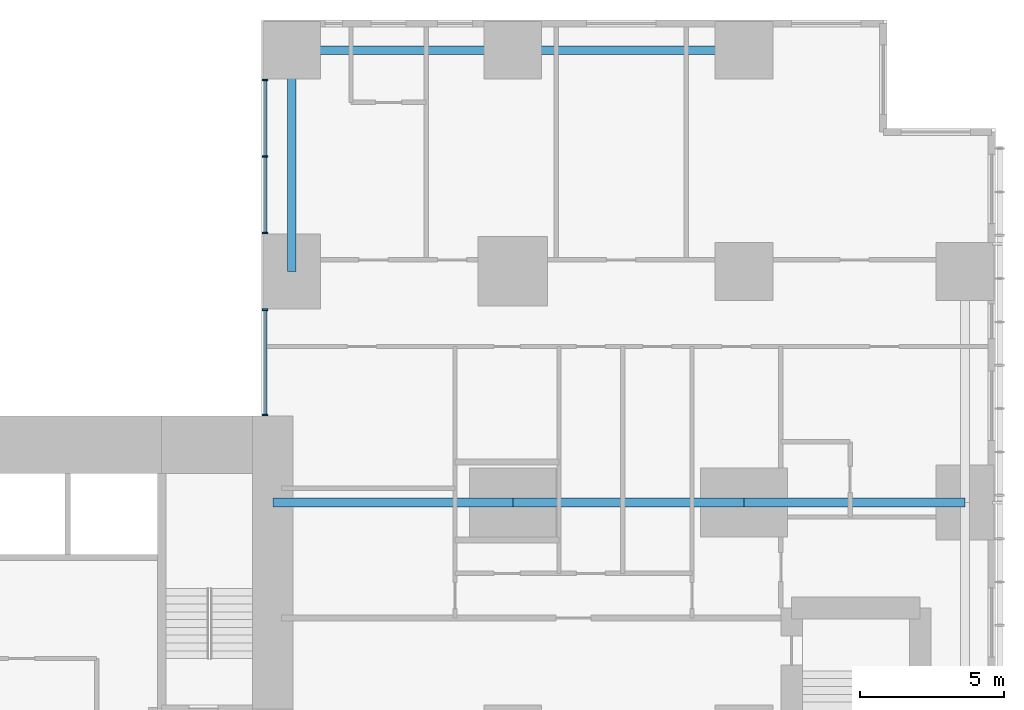
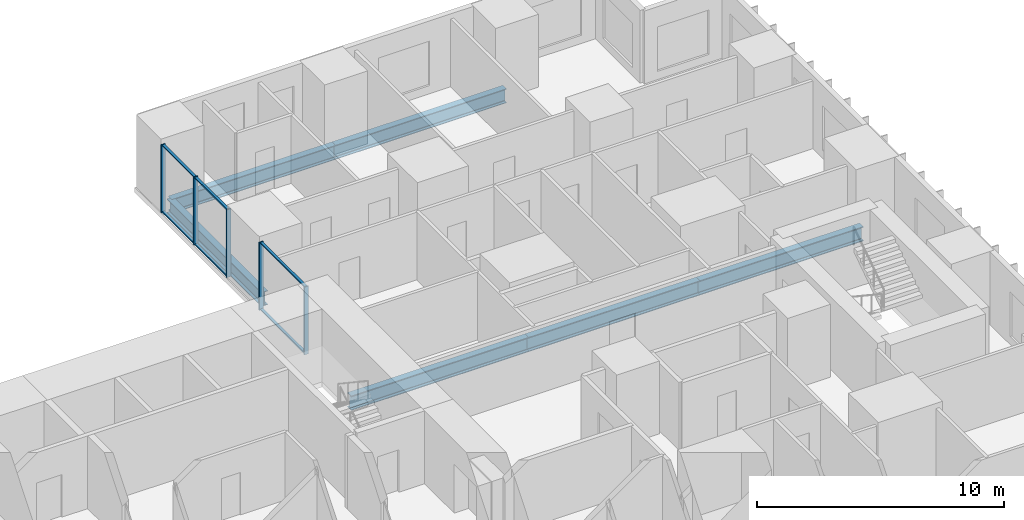
# One storey, part 5 of 21: 11 members, 6 beams, 2 elements without a shape of their own.
"""IFC4 building model written with IfcOpenShell, lengths in metres."""

import ifcopenshell
import ifcopenshell.guid

model = None  # the IFC model being written
_history = None  # IfcOwnerHistory: only IFC2X3 demands one
_inside = {}  # id of a spatial element -> (the spatial element, [elements in it])
_under = {}  # id of a project, library or spatial element -> (it, [spatial elements below it])
_declared = {}  # id of a project -> (the project, [libraries it declares])
_typed = {}  # id of a type object -> (the type object, [elements of that type])
_made_of = {}  # id of a material, layer set ... -> (it, [elements and type objects made of it])


def new_model(schema):
    """Start an empty IFC model of exactly this schema.

    Asked for "IFC4X3", IfcOpenShell would pick the latest addendum, in which some entities
    have other attributes; the version numbers below select the first issue.
    IFC2X3 requires an IfcOwnerHistory on every rooted entity: one is made here for all.
    """
    global model, _history
    if schema == "IFC4X3":
        model = ifcopenshell.file(schema_version=(4, 3, 0, 0))
    else:
        model = ifcopenshell.file(schema=schema)
    _inside.clear()
    _under.clear()
    _declared.clear()
    _typed.clear()
    _made_of.clear()
    _history = None
    if model.schema == "IFC2X3":
        org = make("IfcOrganization", Name="unknown")
        user = make(
            "IfcPersonAndOrganization",
            ThePerson=make("IfcPerson", FamilyName="unknown"),
            TheOrganization=org,
        )
        app = make(
            "IfcApplication",
            ApplicationDeveloper=org,
            Version="unknown",
            ApplicationFullName="unknown",
            ApplicationIdentifier="unknown",
        )
        _history = make(
            "IfcOwnerHistory",
            OwningUser=user,
            OwningApplication=app,
            ChangeAction="ADDED",
            CreationDate=0,
        )
    return model


def make(cls, **values):
    """One entity of the class cls with the attributes given. An attribute that is None is left unset."""
    return model.create_entity(
        cls, **{name: value for name, value in values.items() if value is not None}
    )


def rooted(cls, **values):
    """An entity with a GlobalId (a new one), such as an element, a storey or a relation."""
    return make(cls, GlobalId=ifcopenshell.guid.new(), OwnerHistory=_history, **values)


def si_unit(unit_type, name, prefix=None):
    """IfcSIUnit, for example si_unit("LENGTHUNIT", "METRE", prefix="MILLI")."""
    return make("IfcSIUnit", UnitType=unit_type, Prefix=prefix, Name=name)


def assignment(units):
    """IfcUnitAssignment: the units of a project."""
    return None if units is None else make("IfcUnitAssignment", Units=units)


def point(xyz):
    """IfcCartesianPoint."""
    return None if xyz is None else make("IfcCartesianPoint", Coordinates=xyz)


def direction(xyz):
    """IfcDirection."""
    return None if xyz is None else make("IfcDirection", DirectionRatios=xyz)


def frame(location, z_axis=None, x_axis=None):
    """IfcAxis2Placement3D, a coordinate frame: its origin and axes. An axis left out is left unset."""
    return make(
        "IfcAxis2Placement3D",
        Location=point(location),
        Axis=direction(z_axis),
        RefDirection=direction(x_axis),
    )


def frame_2d(location, x_axis=None):
    """IfcAxis2Placement2D, a coordinate frame in the plane: its origin and x axis."""
    return make(
        "IfcAxis2Placement2D", Location=point(location), RefDirection=direction(x_axis)
    )


def origin():
    """The frame at (0, 0, 0) with its axes left unset."""
    return frame((0.0, 0.0, 0.0))


def origin_2d():
    """The frame at (0, 0) in the plane with its x axis left unset."""
    return frame_2d((0.0, 0.0))


def place(relative_to, where):
    """IfcLocalPlacement: puts the frame where relative to a parent placement (None: the world)."""
    return make(
        "IfcLocalPlacement", PlacementRelTo=relative_to, RelativePlacement=where
    )


def context(
    kind, dimensions, precision=None, world=None, true_north=None, identifier=None
):
    """IfcGeometricRepresentationContext, for example the 3D "Model" context."""
    return make(
        "IfcGeometricRepresentationContext",
        ContextIdentifier=identifier,
        ContextType=kind,
        CoordinateSpaceDimension=dimensions,
        Precision=precision,
        WorldCoordinateSystem=world,
        TrueNorth=true_north,
    )


def subcontext(parent, identifier, kind, view, scale=None):
    """IfcGeometricRepresentationSubContext, for example "Body" below "Model"."""
    return make(
        "IfcGeometricRepresentationSubContext",
        ContextIdentifier=identifier,
        ContextType=kind,
        ParentContext=parent,
        TargetScale=scale,
        TargetView=view,
    )


def project(units=None, contexts=None):
    """IfcProject with its units and contexts."""
    return rooted(
        "IfcProject",
        Name="project",
        RepresentationContexts=contexts,
        UnitsInContext=assignment(units),
    )


def spatial(cls, under=None, at=None, **own):
    """A site, building, storey or space (cls), placed at a placement, below another one or the project."""
    s = rooted(cls, ObjectPlacement=at, **own)
    if under is not None:
        _under.setdefault(under.id(), (under, []))[1].append(s)
    return s


def profile(cls, at=None, kind="AREA", **sizes):
    """A parametric profile (cls). Its sizes go by their IFC names, for example OverallWidth=200.0."""
    return make(cls, ProfileType=kind, Position=at, **sizes)


def rectangle(**sizes):
    """IfcRectangleProfileDef."""
    return profile("IfcRectangleProfileDef", **sizes)


def i_section(**sizes):
    """IfcIShapeProfileDef."""
    return profile("IfcIShapeProfileDef", **sizes)


def extrude(swept, where, along, depth):
    """IfcExtrudedAreaSolid: the profile swept, set in the frame where, extruded along a direction by depth."""
    return make(
        "IfcExtrudedAreaSolid",
        SweptArea=swept,
        Position=where,
        ExtrudedDirection=direction(along),
        Depth=depth,
    )


def shape(context_of_items, identifier, shape_type, items):
    """IfcShapeRepresentation: the items that make up one representation, for example the "Body"."""
    return make(
        "IfcShapeRepresentation",
        ContextOfItems=context_of_items,
        RepresentationIdentifier=identifier,
        RepresentationType=shape_type,
        Items=items,
    )


def material(Name=None, Category=None):
    """IfcMaterial."""
    return make("IfcMaterial", Name=Name, Category=Category)


def layer(
    of_material, thickness, ventilated=None, Name=None, Category=None, Priority=None
):
    """IfcMaterialLayer: one layer of a wall or slab, of a material (None: an air gap)."""
    return make(
        "IfcMaterialLayer",
        Material=of_material,
        LayerThickness=thickness,
        IsVentilated=ventilated,
        Name=Name,
        Category=Category,
        Priority=Priority,
    )


def layer_set(layers, Name=None):
    """IfcMaterialLayerSet."""
    return make("IfcMaterialLayerSet", MaterialLayers=layers, LayerSetName=Name)


def material_profile(
    of_material, cross_section, Name=None, Category=None, Priority=None
):
    """IfcMaterialProfile: a cross section and its material."""
    return make(
        "IfcMaterialProfile",
        Name=Name,
        Material=of_material,
        Profile=cross_section,
        Priority=Priority,
        Category=Category,
    )


def profile_set(profiles, Name=None, composite=None):
    """IfcMaterialProfileSet."""
    return make(
        "IfcMaterialProfileSet",
        Name=Name,
        MaterialProfiles=profiles,
        CompositeProfile=composite,
    )


def made_of(thing, what):
    """Note that an element or type object is made of a material, layer set ...; save() writes the relation."""
    if what is not None:
        _made_of.setdefault(what.id(), (what, []))[1].append(thing)
    return thing


def type_object(cls, material=None, **own):
    """A type object (cls), such as IfcWallType, which elements share."""
    return made_of(rooted(cls, **own), material)


def element(
    cls,
    number,
    at=None,
    inside=None,
    cuts=None,
    type_object=None,
    material=None,
    context=None,
    identifier="Body",
    shape_type=None,
    held_by="IfcProductDefinitionShape",
    body=None,
    shapes=None,
    **own,
):
    """One element of the class cls, such as IfcWall. Its Tag is "e" and its number.

    at: its placement. inside: the storey or other place that contains it. cuts: it is an
    opening in that element (IfcRelVoidsElement). A single representation is given by context,
    identifier, shape_type and body (its items); several are given by shapes. held_by: the class
    of the entity that holds the representations. save() writes the other relations.
    """
    e = rooted(cls, Tag="e%d" % number, ObjectPlacement=at, **own)
    if body is not None:
        shapes = [shape(context, identifier, shape_type, body)]
    if shapes is not None:
        e.Representation = make(held_by, Representations=shapes)
    if inside is not None:
        _inside.setdefault(inside.id(), (inside, []))[1].append(e)
    if cuts is not None:
        rooted(
            "IfcRelVoidsElement", RelatingBuildingElement=cuts, RelatedOpeningElement=e
        )
    if type_object is not None:
        _typed.setdefault(type_object.id(), (type_object, []))[1].append(e)
    return made_of(e, material)


def aggregate(whole, parts):
    """IfcRelAggregates: a whole, such as a stair, and the parts it consists of."""
    return rooted("IfcRelAggregates", RelatingObject=whole, RelatedObjects=parts)


def save(model, path):
    """Write the relations noted so far, then the file.

    IfcRelAggregates (storeys below a building ...), IfcRelContainedInSpatialStructure (elements
    in a storey), IfcRelDefinesByType, IfcRelAssociatesMaterial and IfcRelDeclares: one each for
    every whole, place, type object, material and project.
    """
    for whole, parts in _under.values():
        aggregate(whole, parts)
    for where, things in _inside.values():
        rooted(
            "IfcRelContainedInSpatialStructure",
            RelatedElements=things,
            RelatingStructure=where,
        )
    for kind, things in _typed.values():
        rooted("IfcRelDefinesByType", RelatedObjects=things, RelatingType=kind)
    for what, things in _made_of.values():
        rooted("IfcRelAssociatesMaterial", RelatedObjects=things, RelatingMaterial=what)
    for by, libraries in _declared.values():
        rooted("IfcRelDeclares", RelatingContext=by, RelatedDefinitions=libraries)
    model.write(path)


model = new_model("IFC4")

# Units and contexts
model_context = context("Model", 3, precision=1e-05, world=origin(), true_north=direction((0.0, 1.0)))
body_context = subcontext(model_context, "Body", "Model", "MODEL_VIEW")
ifc_project = project(units=[si_unit("LENGTHUNIT", "METRE"), si_unit("AREAUNIT", "SQUARE_METRE"), si_unit("VOLUMEUNIT", "CUBIC_METRE"), si_unit("PLANEANGLEUNIT", "RADIAN"), si_unit("MASSUNIT", "GRAM", prefix="KILO")], contexts=[model_context])

# Site, building, storey
site_placement = place(None, origin())
site = spatial("IfcSite", under=ifc_project, at=site_placement, CompositionType="ELEMENT")
building_placement = place(site_placement, origin())
building = spatial("IfcBuilding", under=site, at=building_placement, Name="Cleftline Residences", CompositionType="ELEMENT")
storey_placement = place(building_placement, frame((0.0, 0.0, 128.60009765625)))
storey = spatial("IfcBuildingStorey", under=building, at=storey_placement, Name="L33", CompositionType="ELEMENT", Elevation=128.60009765625)

# Beams
ifc_material_1 = material(Name="Steel S355", Category="steel")
ifc_material_profile_1 = material_profile(ifc_material_1, i_section(OverallWidth=0.300048828125, OverallDepth=0.699951171875, WebThickness=0.01708984375, FlangeThickness=0.031982421875, FilletRadius=0.027099609375, at=origin_2d()))
ifc_profile_set_1 = profile_set([ifc_material_profile_1], Name="Steel S355")
beam_type_1 = type_object("IfcBeamType", Name="BEAM HEB 700", PredefinedType="BEAM", material=ifc_profile_set_1)
beam_1_placement = place(storey_placement, frame((58.0, 47.64990234375, -0.60009765625), z_axis=(-1.0, 0.0, 0.0), x_axis=(0.0, -1.0, 0.0)))
element("IfcBeam", 1, at=beam_1_placement, inside=storey, type_object=beam_type_1, Name="Edge beam", PredefinedType="BEAM", context=body_context, shape_type="SweptSolid", body=[
    extrude(i_section(OverallWidth=0.300048828125, OverallDepth=0.699951171875, WebThickness=0.01708984375, FlangeThickness=0.031982421875, FilletRadius=0.027099609375, at=origin_2d()), origin(), (0.0, 0.0, 1.0), 8.0),
])
for number, where, z_axis, x_axis, name in (
    (2, (50.0, 47.64990234375, -0.60009765625), (-1.0, 0.0, 0.0), (0.0, -1.0, 0.0), "Edge beam"),
    (3, (42.35009765625, 47.64990234375, -0.60009765625), (0.0, -1.0, 0.0), (1.0, 0.0, 0.0), "Edge beam"),
):
    element("IfcBeam", number, at=place(storey_placement, frame(where, z_axis=z_axis, x_axis=x_axis)), inside=storey, type_object=beam_type_1, Name=name, PredefinedType="BEAM", context=body_context, shape_type="SweptSolid", body=[
        extrude(i_section(OverallWidth=0.300048828125, OverallDepth=0.699951171875, WebThickness=0.01708984375, FlangeThickness=0.031982421875, FilletRadius=0.027099609375, at=origin_2d()), origin(), (0.0, 0.0, 1.0), 7.64990234375),
    ])
ifc_material_2 = material(Name="Steel S355", Category="steel")
ifc_material_profile_2 = material_profile(ifc_material_2, i_section(OverallWidth=0.303955078125, OverallDepth=0.716064453125, WebThickness=0.02099609375, FlangeThickness=0.0400390625, FilletRadius=0.027099609375, at=origin_2d()))
ifc_profile_set_2 = profile_set([ifc_material_profile_2], Name="Steel S355")
beam_type_2 = type_object("IfcBeamType", Name="BEAM HEM 700", PredefinedType="BEAM", material=ifc_profile_set_2)
beam_2_placement = place(storey_placement, frame((65.64990234375, 32.0, -0.608154296875), z_axis=(-1.0, 0.0, 0.0), x_axis=(0.0, -1.0, 0.0)))
element("IfcBeam", 4, at=beam_2_placement, inside=storey, type_object=beam_type_2, Name="Band beam", PredefinedType="BEAM", context=body_context, shape_type="SweptSolid", body=[
    extrude(i_section(OverallWidth=0.303955078125, OverallDepth=0.716064453125, WebThickness=0.02099609375, FlangeThickness=0.0400390625, FilletRadius=0.027099609375, at=origin_2d()), origin(), (0.0, 0.0, 1.0), 7.64990234375),
])
beam_3_placement = place(storey_placement, frame((58.0, 32.0, -0.608154296875), z_axis=(-1.0, 0.0, 0.0), x_axis=(0.0, -1.0, 0.0)))
element("IfcBeam", 5, at=beam_3_placement, inside=storey, type_object=beam_type_2, Name="Band beam", PredefinedType="BEAM", context=body_context, shape_type="SweptSolid", body=[
    extrude(i_section(OverallWidth=0.303955078125, OverallDepth=0.716064453125, WebThickness=0.02099609375, FlangeThickness=0.0400390625, FilletRadius=0.027099609375, at=origin_2d()), origin(), (0.0, 0.0, 1.0), 8.0),
])
beam_4_placement = place(storey_placement, frame((50.0, 32.0, -0.608154296875), z_axis=(-1.0, 0.0, 0.0), x_axis=(0.0, -1.0, 0.0)))
element("IfcBeam", 6, at=beam_4_placement, inside=storey, type_object=beam_type_2, Name="Band beam", PredefinedType="BEAM", context=body_context, shape_type="SweptSolid", body=[
    extrude(i_section(OverallWidth=0.303955078125, OverallDepth=0.716064453125, WebThickness=0.02099609375, FlangeThickness=0.0400390625, FilletRadius=0.027099609375, at=origin_2d()), origin(), (0.0, 0.0, 1.0), 8.300048828125),
])

# Curtain wall, members
ifc_material_3 = material(Name="Aluminium framed curtain wall", Category="aluminium")
ifc_layer = layer(ifc_material_3, 0.199951171875)
ifc_layer_set = layer_set([ifc_layer], Name="CW1 CLEFT GLAZING")
curtain_wall_type = type_object("IfcCurtainWallType", Name="CW1 CLEFT GLAZING", PredefinedType="NOTDEFINED", material=ifc_layer_set)
curtain_wall_1_placement = place(storey_placement, origin())
curtain_wall_1 = element("IfcCurtainWall", 7, at=curtain_wall_1_placement, inside=storey, type_object=curtain_wall_type, Name="Curtain wall CW1", PredefinedType="NOTDEFINED")
ifc_material_4 = material(Name="Aluminium mullion", Category="aluminium")
ifc_material_profile_3 = material_profile(ifc_material_4, rectangle(XDim=0.199951171875, YDim=0.06005859375, at=origin_2d()))
ifc_profile_set_3 = profile_set([ifc_material_profile_3], Name="Aluminium mullion")
member_type_1 = type_object("IfcMemberType", Name="CW1 MULLION", PredefinedType="MULLION", material=ifc_profile_set_3)
member_1_placement = place(storey_placement, frame((41.425048828125, 46.6201171875, 0.0), z_axis=(0.0, 0.0, 1.0), x_axis=(1.0, 0.0, 0.0)))
member_1 = element("IfcMember", 8, at=member_1_placement, type_object=member_type_1, Name="CW1 mullion 1", PredefinedType="MULLION", context=body_context, shape_type="SweptSolid", body=[
    extrude(rectangle(XDim=0.199951171875, YDim=0.06005859375, at=origin_2d()), origin(), (0.0, 0.0, 1.0), 3.349853515625),
])
member_2_placement = place(storey_placement, frame((41.425048828125, 43.97509765625, 0.0), z_axis=(0.0, 0.0, 1.0), x_axis=(1.0, 0.0, 0.0)))
member_2 = element("IfcMember", 9, at=member_2_placement, type_object=member_type_1, Name="CW1 mullion 2", PredefinedType="MULLION", context=body_context, shape_type="SweptSolid", body=[
    extrude(rectangle(XDim=0.199951171875, YDim=0.06005859375, at=origin_2d()), origin(), (0.0, 0.0, 1.0), 3.349853515625),
])
member_3_placement = place(storey_placement, frame((41.425048828125, 41.330078125, 0.0), z_axis=(0.0, 0.0, 1.0), x_axis=(1.0, 0.0, 0.0)))
member_3 = element("IfcMember", 10, at=member_3_placement, type_object=member_type_1, Name="CW1 mullion 3", PredefinedType="MULLION", context=body_context, shape_type="SweptSolid", body=[
    extrude(rectangle(XDim=0.199951171875, YDim=0.06005859375, at=origin_2d()), origin(), (0.0, 0.0, 1.0), 3.349853515625),
])

curtain_wall_2_placement = place(storey_placement, origin())
curtain_wall_2 = element("IfcCurtainWall", 11, at=curtain_wall_2_placement, inside=storey, type_object=curtain_wall_type, Name="Curtain wall CW1", PredefinedType="NOTDEFINED")
member_4_placement = place(storey_placement, frame((41.425048828125, 38.669921875, 0.0), z_axis=(0.0, 0.0, 1.0), x_axis=(1.0, 0.0, 0.0)))
member_4 = element("IfcMember", 12, at=member_4_placement, type_object=member_type_1, Name="CW1 mullion 1", PredefinedType="MULLION", context=body_context, shape_type="SweptSolid", body=[
    extrude(rectangle(XDim=0.199951171875, YDim=0.06005859375, at=origin_2d()), origin(), (0.0, 0.0, 1.0), 3.349853515625),
])
member_5_placement = place(storey_placement, frame((41.425048828125, 35.030029296875, 0.0), z_axis=(0.0, 0.0, 1.0), x_axis=(1.0, 0.0, 0.0)))
member_5 = element("IfcMember", 13, at=member_5_placement, type_object=member_type_1, Name="CW1 mullion 2", PredefinedType="MULLION", context=body_context, shape_type="SweptSolid", body=[
    extrude(rectangle(XDim=0.199951171875, YDim=0.06005859375, at=origin_2d()), origin(), (0.0, 0.0, 1.0), 3.349853515625),
])

# Member
ifc_material_5 = material(Name="Aluminium transom", Category="aluminium")
ifc_material_profile_4 = material_profile(ifc_material_5, rectangle(XDim=0.1201171875, YDim=0.06005859375, at=origin_2d()))
ifc_profile_set_4 = profile_set([ifc_material_profile_4], Name="Aluminium transom")
member_type_2 = type_object("IfcMemberType", Name="CW1 TRANSOM", PredefinedType="USERDEFINED", material=ifc_profile_set_4)
member_6_placement = place(storey_placement, frame((41.425048828125, 46.590087890625, 0.02978515625), z_axis=(0.0, -1.0, 0.0), x_axis=(1.0, 0.0, 0.0)))
member_6 = element("IfcMember", 14, at=member_6_placement, type_object=member_type_2, Name="CW1 transom 1.1", ObjectType="TRANSOM", PredefinedType="USERDEFINED", context=body_context, shape_type="SweptSolid", body=[
    extrude(rectangle(XDim=0.1201171875, YDim=0.06005859375, at=origin_2d()), origin(), (0.0, 0.0, 1.0), 2.585205078125),
])

member_7_placement = place(storey_placement, frame((41.425048828125, 46.590087890625, 3.31982421875), z_axis=(0.0, -1.0, 0.0), x_axis=(1.0, 0.0, 0.0)))
member_7 = element("IfcMember", 15, at=member_7_placement, type_object=member_type_2, Name="CW1 transom 1.2", ObjectType="TRANSOM", PredefinedType="USERDEFINED", context=body_context, shape_type="SweptSolid", body=[
    extrude(rectangle(XDim=0.1201171875, YDim=0.06005859375, at=origin_2d()), origin(), (0.0, 0.0, 1.0), 2.585205078125),
])

member_8_placement = place(storey_placement, frame((41.425048828125, 43.945068359375, 0.02978515625), z_axis=(0.0, -1.0, 0.0), x_axis=(1.0, 0.0, 0.0)))
member_8 = element("IfcMember", 16, at=member_8_placement, type_object=member_type_2, Name="CW1 transom 2.1", ObjectType="TRANSOM", PredefinedType="USERDEFINED", context=body_context, shape_type="SweptSolid", body=[
    extrude(rectangle(XDim=0.1201171875, YDim=0.06005859375, at=origin_2d()), origin(), (0.0, 0.0, 1.0), 2.5849609375),
])

member_9_placement = place(storey_placement, frame((41.425048828125, 43.945068359375, 3.31982421875), z_axis=(0.0, -1.0, 0.0), x_axis=(1.0, 0.0, 0.0)))
member_9 = element("IfcMember", 17, at=member_9_placement, type_object=member_type_2, Name="CW1 transom 2.2", ObjectType="TRANSOM", PredefinedType="USERDEFINED", context=body_context, shape_type="SweptSolid", body=[
    extrude(rectangle(XDim=0.1201171875, YDim=0.06005859375, at=origin_2d()), origin(), (0.0, 0.0, 1.0), 2.5849609375),
])

aggregate(curtain_wall_1, [member_1, member_2, member_3, member_6, member_7, member_8, member_9])

member_10_placement = place(storey_placement, frame((41.425048828125, 38.639892578125, 0.02978515625), z_axis=(0.0, -1.0, 0.0), x_axis=(1.0, 0.0, 0.0)))
member_10 = element("IfcMember", 18, at=member_10_placement, type_object=member_type_2, Name="CW1 transom 1.1", ObjectType="TRANSOM", PredefinedType="USERDEFINED", context=body_context, shape_type="SweptSolid", body=[
    extrude(rectangle(XDim=0.1201171875, YDim=0.06005859375, at=origin_2d()), origin(), (0.0, 0.0, 1.0), 3.579833984375),
])

member_11_placement = place(storey_placement, frame((41.425048828125, 38.639892578125, 3.31982421875), z_axis=(0.0, -1.0, 0.0), x_axis=(1.0, 0.0, 0.0)))
member_11 = element("IfcMember", 19, at=member_11_placement, type_object=member_type_2, Name="CW1 transom 1.2", ObjectType="TRANSOM", PredefinedType="USERDEFINED", context=body_context, shape_type="SweptSolid", body=[
    extrude(rectangle(XDim=0.1201171875, YDim=0.06005859375, at=origin_2d()), origin(), (0.0, 0.0, 1.0), 3.579833984375),
])

aggregate(curtain_wall_2, [member_4, member_5, member_10, member_11])

save(model, "model.ifc")
